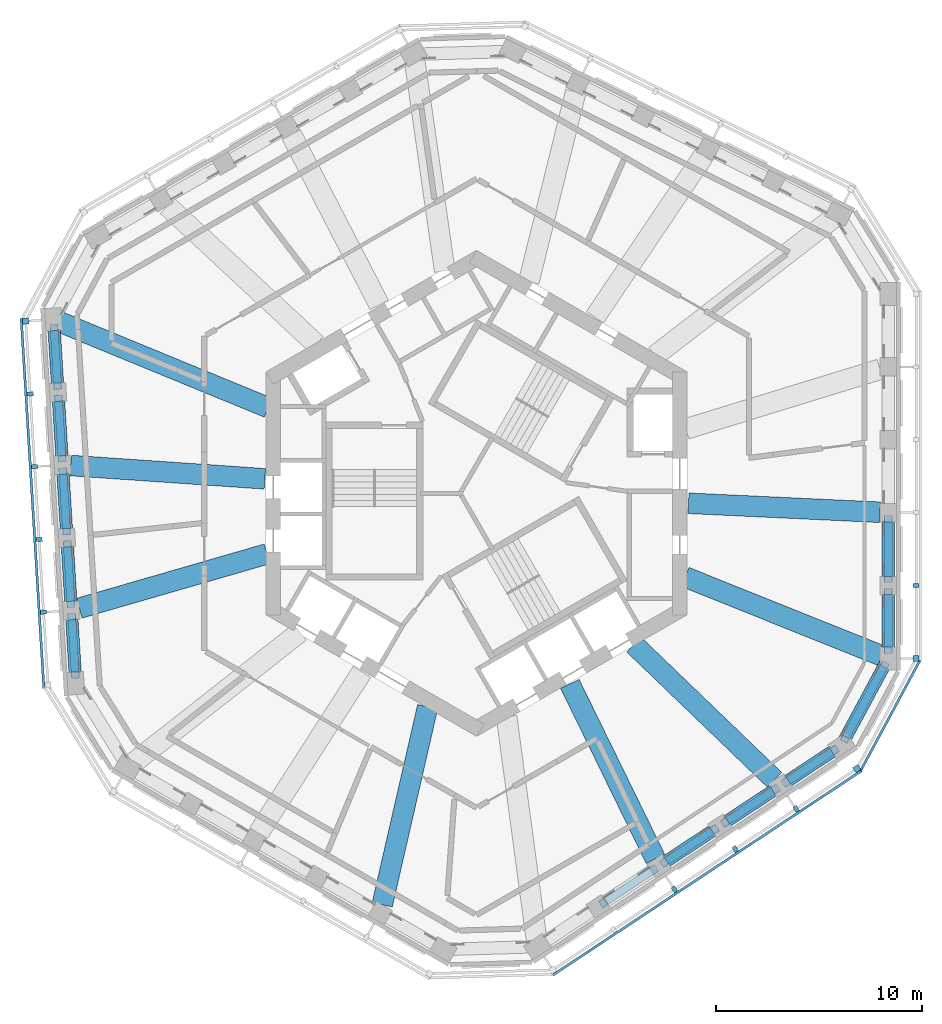
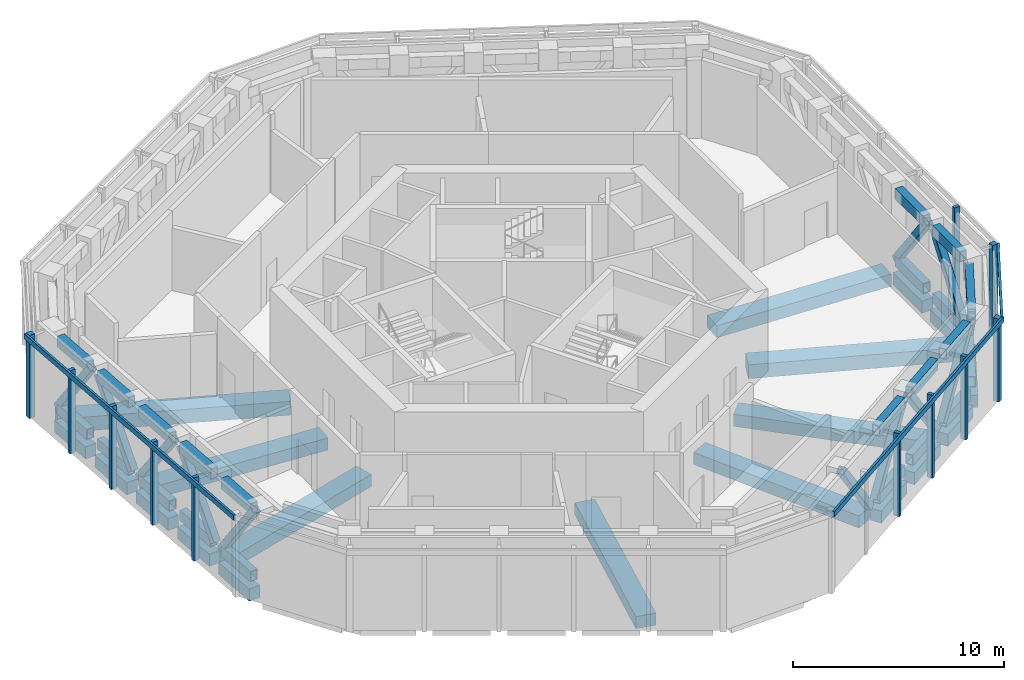
# One storey, part 2 of 14: 48 members, 19 beams, 4 elements without a shape of their own.
"""IFC4 building model written with IfcOpenShell, lengths in metres."""

from ifc_helpers import new_model, si_unit, direction, frame, origin, origin_2d, place, context, subcontext, project, spatial, rectangle, hollow_rectangle, extrude, material, material_profile, profile_set, type_object, element, aggregate, save


model = new_model("IFC4")

# Units and contexts
model_context = context("Model", 3, precision=1e-05, world=origin(), true_north=direction((0.0, 1.0)))
body_context = subcontext(model_context, "Body", "Model", "MODEL_VIEW")
ifc_project = project(units=[si_unit("LENGTHUNIT", "METRE"), si_unit("AREAUNIT", "SQUARE_METRE"), si_unit("VOLUMEUNIT", "CUBIC_METRE"), si_unit("PLANEANGLEUNIT", "RADIAN"), si_unit("MASSUNIT", "GRAM", prefix="KILO")], contexts=[model_context])

# Site, building, storey
site_placement = place(None, origin())
site = spatial("IfcSite", under=ifc_project, at=site_placement, CompositionType="ELEMENT")
building_placement = place(site_placement, origin())
building = spatial("IfcBuilding", under=site, at=building_placement, Name="Vanh Sen Convention Tower", CompositionType="ELEMENT")
storey_placement = place(building_placement, frame((0.0, 0.0, 255.0)))
storey = spatial("IfcBuildingStorey", under=building, at=storey_placement, Name="L63", CompositionType="ELEMENT", Elevation=255.0)

# Members
ifc_material_1 = material(Name="Steel S460", Category="steel")
ifc_material_profile_1 = material_profile(ifc_material_1, hollow_rectangle(XDim=0.39990234375, YDim=0.60009765625, WallThickness=0.030029296875, at=origin_2d()), Name="BOX 600X400X30")
ifc_profile_set_1 = profile_set([ifc_material_profile_1], Name="Steel S460")
member_type_1 = type_object("IfcMemberType", Name="Belt truss chord BOX 600X400X30", PredefinedType="CHORD", material=ifc_profile_set_1)
for number, where, z_axis, x_axis, name in (
    (1, (19.949951171875, -7.457763671875, 0.300048828125), (0.0, 1.0, 0.0), (-1.0, 0.0, 0.0), "BELT TRUSS chord bottom 01 L63"),
    (2, (19.949951171875, -7.457763671875, 4.199951171875), (0.0, 1.0, 0.0), (-1.0, 0.0, 0.0), "BELT TRUSS chord top 01 L63"),
):
    element("IfcMember", number, at=place(storey_placement, frame(where, z_axis=z_axis, x_axis=x_axis)), inside=storey, type_object=member_type_1, Name=name, PredefinedType="CHORD", context=body_context, shape_type="SweptSolid", body=[
        extrude(hollow_rectangle(XDim=0.39990234375, YDim=0.60009765625, WallThickness=0.030029296875, at=origin_2d()), origin(), (0.0, 0.0, 1.0), 2.54345703125),
    ])
for number, where, z_axis, x_axis, name in (
    (3, (19.949951171875, -4.024169921875, 0.300048828125), (0.0, 1.0, 0.0), (-1.0, 0.0, 0.0), "BELT TRUSS chord bottom 02 L63"),
    (4, (19.949951171875, -4.024169921875, 4.199951171875), (0.0, 1.0, 0.0), (-1.0, 0.0, 0.0), "BELT TRUSS chord top 02 L63"),
):
    element("IfcMember", number, at=place(storey_placement, frame(where, z_axis=z_axis, x_axis=x_axis)), inside=storey, type_object=member_type_1, Name=name, PredefinedType="CHORD", context=body_context, shape_type="SweptSolid", body=[
        extrude(hollow_rectangle(XDim=0.39990234375, YDim=0.60009765625, WallThickness=0.030029296875, at=origin_2d()), origin(), (0.0, 0.0, 1.0), 2.6435546875),
    ])
for number, where, z_axis, x_axis, name in (
    (5, (-20.469482421875, 7.885498046875, 0.300048828125), (0.061039814536, -0.998135332027, 0.0), (0.998135332027, 0.061039814536, 0.0), "BELT TRUSS chord bottom 19 L63"),
    (6, (-20.469482421875, 7.885498046875, 4.199951171875), (0.061039814536, -0.998135332027, 0.0), (0.998135332027, 0.061039814536, 0.0), "BELT TRUSS chord top 19 L63"),
):
    element("IfcMember", number, at=place(storey_placement, frame(where, z_axis=z_axis, x_axis=x_axis)), inside=storey, type_object=member_type_1, Name=name, PredefinedType="CHORD", context=body_context, shape_type="SweptSolid", body=[
        extrude(hollow_rectangle(XDim=0.39990234375, YDim=0.60009765625, WallThickness=0.030029296875, at=origin_2d()), origin(), (0.0, 0.0, 1.0), 2.543701171875),
    ])
for number, where, z_axis, x_axis, name in (
    (7, (-20.260009765625, 4.458251953125, 0.300048828125), (0.061038717625, -0.998135399107, 0.0), (0.998135399107, 0.061038717625, 0.0), "BELT TRUSS chord bottom 20 L63"),
    (8, (-20.260009765625, 4.458251953125, 4.199951171875), (0.061038717625, -0.998135399107, 0.0), (0.998135399107, 0.061038717625, 0.0), "BELT TRUSS chord top 20 L63"),
):
    element("IfcMember", number, at=place(storey_placement, frame(where, z_axis=z_axis, x_axis=x_axis)), inside=storey, type_object=member_type_1, Name=name, PredefinedType="CHORD", context=body_context, shape_type="SweptSolid", body=[
        extrude(hollow_rectangle(XDim=0.39990234375, YDim=0.60009765625, WallThickness=0.030029296875, at=origin_2d()), origin(), (0.0, 0.0, 1.0), 2.643798828125),
    ])
for number, where, z_axis, x_axis, name in (
    (9, (-20.044189453125, 0.93115234375, 0.300048828125), (0.061044344131, -0.998135055015, 0.0), (0.998135055015, 0.061044344131, 0.0), "BELT TRUSS chord bottom 21 L63"),
    (10, (-20.044189453125, 0.93115234375, 4.199951171875), (0.061044344131, -0.998135055015, 0.0), (0.998135055015, 0.061044344131, 0.0), "BELT TRUSS chord top 21 L63"),
):
    element("IfcMember", number, at=place(storey_placement, frame(where, z_axis=z_axis, x_axis=x_axis)), inside=storey, type_object=member_type_1, Name=name, PredefinedType="CHORD", context=body_context, shape_type="SweptSolid", body=[
        extrude(hollow_rectangle(XDim=0.39990234375, YDim=0.60009765625, WallThickness=0.030029296875, at=origin_2d()), origin(), (0.0, 0.0, 1.0), 2.6435546875),
    ])
for number, where, z_axis, x_axis, name in (
    (11, (-19.82861328125, -2.595703125, 0.300048828125), (0.061038717625, -0.998135399107, 0.0), (0.998135399107, 0.061038717625, 0.0), "BELT TRUSS chord bottom 22 L63"),
    (12, (-19.82861328125, -2.595703125, 4.199951171875), (0.061038717625, -0.998135399107, 0.0), (0.998135399107, 0.061038717625, 0.0), "BELT TRUSS chord top 22 L63"),
):
    element("IfcMember", number, at=place(storey_placement, frame(where, z_axis=z_axis, x_axis=x_axis)), inside=storey, type_object=member_type_1, Name=name, PredefinedType="CHORD", context=body_context, shape_type="SweptSolid", body=[
        extrude(hollow_rectangle(XDim=0.39990234375, YDim=0.60009765625, WallThickness=0.030029296875, at=origin_2d()), origin(), (0.0, 0.0, 1.0), 2.643798828125),
    ])
for number, where, z_axis, x_axis, name in (
    (13, (-19.61279296875, -6.122802734375, 0.300048828125), (0.061039814536, -0.998135332027, 0.0), (0.998135332027, 0.061039814536, 0.0), "BELT TRUSS chord bottom 23 L63"),
    (14, (-19.61279296875, -6.122802734375, 4.199951171875), (0.061039814536, -0.998135332027, 0.0), (0.998135332027, 0.061039814536, 0.0), "BELT TRUSS chord top 23 L63"),
):
    element("IfcMember", number, at=place(storey_placement, frame(where, z_axis=z_axis, x_axis=x_axis)), inside=storey, type_object=member_type_1, Name=name, PredefinedType="CHORD", context=body_context, shape_type="SweptSolid", body=[
        extrude(hollow_rectangle(XDim=0.39990234375, YDim=0.60009765625, WallThickness=0.030029296875, at=origin_2d()), origin(), (0.0, 0.0, 1.0), 2.543701171875),
    ])
for number, where, z_axis, x_axis, name in (
    (15, (9.2158203125, -17.824462890625, 0.300048828125), (0.833850316908, 0.551990624007, 0.0), (-0.551990624007, 0.833850316908, 0.0), "BELT TRUSS chord bottom 33 L63"),
    (16, (9.2158203125, -17.824462890625, 4.199951171875), (0.833850316908, 0.551990624007, 0.0), (-0.551990624007, 0.833850316908, 0.0), "BELT TRUSS chord top 33 L63"),
    (17, (12.162353515625, -15.8740234375, 0.300048828125), (0.833850316908, 0.551990624007, 0.0), (-0.551990624007, 0.833850316908, 0.0), "BELT TRUSS chord bottom 34 L63"),
    (18, (12.162353515625, -15.8740234375, 4.199951171875), (0.833850316908, 0.551990624007, 0.0), (-0.551990624007, 0.833850316908, 0.0), "BELT TRUSS chord top 34 L63"),
):
    element("IfcMember", number, at=place(storey_placement, frame(where, z_axis=z_axis, x_axis=x_axis)), inside=storey, type_object=member_type_1, Name=name, PredefinedType="CHORD", context=body_context, shape_type="SweptSolid", body=[
        extrude(hollow_rectangle(XDim=0.39990234375, YDim=0.60009765625, WallThickness=0.030029296875, at=origin_2d()), origin(), (0.0, 0.0, 1.0), 2.6435546875),
    ])
for number, where, z_axis, x_axis, name in (
    (19, (15.10888671875, -13.923583984375, 0.300048828125), (0.833906220349, 0.551906165632, 0.0), (-0.551906165632, 0.833906220349, 0.0), "BELT TRUSS chord bottom 35 L63"),
    (20, (15.10888671875, -13.923583984375, 4.199951171875), (0.833906220349, 0.551906165632, 0.0), (-0.551906165632, 0.833906220349, 0.0), "BELT TRUSS chord top 35 L63"),
):
    element("IfcMember", number, at=place(storey_placement, frame(where, z_axis=z_axis, x_axis=x_axis)), inside=storey, type_object=member_type_1, Name=name, PredefinedType="CHORD", context=body_context, shape_type="SweptSolid", body=[
        extrude(hollow_rectangle(XDim=0.39990234375, YDim=0.60009765625, WallThickness=0.030029296875, at=origin_2d()), origin(), (0.0, 0.0, 1.0), 2.54345703125),
    ])
for number, where, z_axis, x_axis, name in (
    (21, (17.906005859375, -11.806884765625, 0.300048828125), (0.473320740934, 0.880890161258, 0.0), (-0.880890161258, 0.473320740934, 0.0), "BELT TRUSS chord bottom 36 L63"),
    (22, (17.906005859375, -11.806884765625, 4.199951171875), (0.473320740934, 0.880890161258, 0.0), (-0.880890161258, 0.473320740934, 0.0), "BELT TRUSS chord top 36 L63"),
):
    element("IfcMember", number, at=place(storey_placement, frame(where, z_axis=z_axis, x_axis=x_axis)), inside=storey, type_object=member_type_1, Name=name, PredefinedType="CHORD", context=body_context, shape_type="SweptSolid", body=[
        extrude(hollow_rectangle(XDim=0.39990234375, YDim=0.60009765625, WallThickness=0.030029296875, at=origin_2d()), origin(), (0.0, 0.0, 1.0), 3.8505859375),
    ])
ifc_material_2 = material(Name="Steel S355", Category="steel")
ifc_material_profile_2 = material_profile(ifc_material_2, hollow_rectangle(XDim=0.39990234375, YDim=0.39990234375, WallThickness=0.01611328125, InnerFilletRadius=0.01611328125, OuterFilletRadius=0.031982421875, at=origin_2d()), Name="SHS 400X400X16")
ifc_profile_set_2 = profile_set([ifc_material_profile_2], Name="Steel S355")
member_type_2 = type_object("IfcMemberType", Name="Belt truss diagonal SHS 400X400X16", PredefinedType="BRACE", material=ifc_profile_set_2)
member_1_placement = place(storey_placement, frame((19.949951171875, -7.60595703125, 0.300048828125), z_axis=(0.0, 0.588653037628, 0.808385799783), x_axis=(-1.0, 0.0, 0.0)))
element("IfcMember", 23, at=member_1_placement, inside=storey, type_object=member_type_2, Name="BELT TRUSS diagonal 01 L63", PredefinedType="BRACE", context=body_context, shape_type="SweptSolid", body=[
    extrude(hollow_rectangle(XDim=0.39990234375, YDim=0.39990234375, WallThickness=0.01611328125, InnerFilletRadius=0.01611328125, OuterFilletRadius=0.031982421875, at=origin_2d()), origin(), (0.0, 0.0, 1.0), 4.82421875),
])
member_2_placement = place(storey_placement, frame((19.949951171875, -4.17236328125, 4.199951171875), z_axis=(0.0, 0.601965746511, -0.798521909547), x_axis=(-1.0, 0.0, 0.0)))
element("IfcMember", 24, at=member_2_placement, inside=storey, type_object=member_type_2, Name="BELT TRUSS diagonal 02 L63", PredefinedType="BRACE", context=body_context, shape_type="SweptSolid", body=[
    extrude(hollow_rectangle(XDim=0.39990234375, YDim=0.39990234375, WallThickness=0.01611328125, InnerFilletRadius=0.01611328125, OuterFilletRadius=0.031982421875, at=origin_2d()), origin(), (0.0, 0.0, 1.0), 4.8837890625),
])
member_3_placement = place(storey_placement, frame((-20.478515625, 8.033203125, 0.300048828125), z_axis=(0.035929770955, -0.58757826839, 0.808369241173), x_axis=(0.998135632163, 0.061034906454, 0.0)))
element("IfcMember", 25, at=member_3_placement, inside=storey, type_object=member_type_2, Name="BELT TRUSS diagonal 19 L63", PredefinedType="BRACE", context=body_context, shape_type="SweptSolid", body=[
    extrude(hollow_rectangle(XDim=0.39990234375, YDim=0.39990234375, WallThickness=0.01611328125, InnerFilletRadius=0.01611328125, OuterFilletRadius=0.031982421875, at=origin_2d()), origin(), (0.0, 0.0, 1.0), 4.824462890625),
])
for number, where, z_axis, x_axis, name in (
    (26, (-20.26904296875, 4.606201171875, 4.199951171875), (0.03674020352, -0.600889777577, -0.798487089844), (0.998135991565, 0.061029028683, 0.0), "BELT TRUSS diagonal 20 L63"),
    (27, (-20.05322265625, 1.0791015625, 0.300048828125), (0.036741307071, -0.600857838081, 0.798511073669), (0.998135682268, 0.06103408706, 0.0), "BELT TRUSS diagonal 21 L63"),
    (28, (-19.837646484375, -2.447998046875, 4.199951171875), (0.036741307071, -0.600857838081, -0.798511073669), (0.998135682268, 0.06103408706, 0.0), "BELT TRUSS diagonal 22 L63"),
):
    element("IfcMember", number, at=place(storey_placement, frame(where, z_axis=z_axis, x_axis=x_axis)), inside=storey, type_object=member_type_2, Name=name, PredefinedType="BRACE", context=body_context, shape_type="SweptSolid", body=[
        extrude(hollow_rectangle(XDim=0.39990234375, YDim=0.39990234375, WallThickness=0.01611328125, InnerFilletRadius=0.01611328125, OuterFilletRadius=0.031982421875, at=origin_2d()), origin(), (0.0, 0.0, 1.0), 4.884033203125),
    ])
member_4_placement = place(storey_placement, frame((-19.621826171875, -5.974853515625, 0.300048828125), z_axis=(0.0359287026, -0.58761140083, 0.808345204689), x_axis=(0.998135952363, 0.06102966984, 0.0)))
element("IfcMember", 29, at=member_4_placement, inside=storey, type_object=member_type_2, Name="BELT TRUSS diagonal 23 L63", PredefinedType="BRACE", context=body_context, shape_type="SweptSolid", body=[
    extrude(hollow_rectangle(XDim=0.39990234375, YDim=0.39990234375, WallThickness=0.01611328125, InnerFilletRadius=0.01611328125, OuterFilletRadius=0.031982421875, at=origin_2d()), origin(), (0.0, 0.0, 1.0), 4.824462890625),
])
for number, where, z_axis, x_axis, name in (
    (30, (6.1455078125, -19.856689453125, 4.199951171875), (0.501978881461, 0.332269829224, -0.79850733444), (-0.551956917413, 0.833872628955, 0.0), "BELT TRUSS diagonal 32 L63"),
    (31, (9.092041015625, -17.90625, 0.300048828125), (0.501978881461, 0.332269829224, 0.79850733444), (-0.551956917413, 0.833872628955, 0.0), "BELT TRUSS diagonal 33 L63"),
    (32, (12.038818359375, -15.955810546875, 4.199951171875), (0.501978881461, 0.332269829224, -0.79850733444), (-0.551956917413, 0.833872628955, 0.0), "BELT TRUSS diagonal 34 L63"),
):
    element("IfcMember", number, at=place(storey_placement, frame(where, z_axis=z_axis, x_axis=x_axis)), inside=storey, type_object=member_type_2, Name=name, PredefinedType="BRACE", context=body_context, shape_type="SweptSolid", body=[
        extrude(hollow_rectangle(XDim=0.39990234375, YDim=0.39990234375, WallThickness=0.01611328125, InnerFilletRadius=0.01611328125, OuterFilletRadius=0.031982421875, at=origin_2d()), origin(), (0.0, 0.0, 1.0), 4.884033203125),
    ])
member_5_placement = place(storey_placement, frame((14.9853515625, -14.005615234375, 0.300048828125), z_axis=(0.490910042104, 0.324928706355, 0.808349346724), x_axis=(-0.551939864606, 0.833883916297, 0.0)))
element("IfcMember", 33, at=member_5_placement, inside=storey, type_object=member_type_2, Name="BELT TRUSS diagonal 35 L63", PredefinedType="BRACE", context=body_context, shape_type="SweptSolid", body=[
    extrude(hollow_rectangle(XDim=0.39990234375, YDim=0.39990234375, WallThickness=0.01611328125, InnerFilletRadius=0.01611328125, OuterFilletRadius=0.031982421875, at=origin_2d()), origin(), (0.0, 0.0, 1.0), 4.824462890625),
])
member_6_placement = place(storey_placement, frame((17.84619140625, -11.918212890625, 4.199951171875), z_axis=(0.343079613643, 0.63850329101, -0.688919390111), x_axis=(-0.880891071936, 0.473319046082, 0.0)))
element("IfcMember", 34, at=member_6_placement, inside=storey, type_object=member_type_2, Name="BELT TRUSS diagonal 36 L63", PredefinedType="BRACE", context=body_context, shape_type="SweptSolid", body=[
    extrude(hollow_rectangle(XDim=0.39990234375, YDim=0.39990234375, WallThickness=0.01611328125, InnerFilletRadius=0.01611328125, OuterFilletRadius=0.031982421875, at=origin_2d()), origin(), (0.0, 0.0, 1.0), 5.660888671875),
])

# Curtain wall, member
ifc_material_3 = material(Name="Concrete C50/60", Category="concrete")
curtain_wall_type = type_object("IfcCurtainWallType", Name="Outer skin office zone", PredefinedType="NOTDEFINED", material=ifc_material_3)
curtain_wall_1_placement = place(storey_placement, origin())
curtain_wall_1 = element("IfcCurtainWall", 35, at=curtain_wall_1_placement, inside=storey, type_object=curtain_wall_type, Name="OUTER SKIN E L63", PredefinedType="NOTDEFINED")
ifc_material_profile_3 = material_profile(ifc_material_3, rectangle(XDim=0.300048828125, YDim=0.300048828125, at=origin_2d()), Name="Outer skin precast corner fin 300 x 300")
ifc_profile_set_3 = profile_set([ifc_material_profile_3], Name="Concrete C50/60")
member_type_3 = type_object("IfcMemberType", Name="Outer skin precast corner fin 300 x 300", PredefinedType="MULLION", material=ifc_profile_set_3)
member_7_placement = place(storey_placement, frame((21.300048828125, -8.002685546875, 0.0), z_axis=(0.0, 0.0, 1.0), x_axis=(0.0, 1.0, 0.0)))
member_7 = element("IfcMember", 36, at=member_7_placement, type_object=member_type_3, Name="OUTER SKIN CORNER FIN 1 E L63", PredefinedType="MULLION", context=body_context, shape_type="SweptSolid", body=[
    extrude(rectangle(XDim=0.300048828125, YDim=0.300048828125, at=origin_2d()), origin(), (0.0, 0.0, 1.0), 4.800048828125),
])

curtain_wall_2_placement = place(storey_placement, origin())
curtain_wall_2 = element("IfcCurtainWall", 37, at=curtain_wall_2_placement, inside=storey, type_object=curtain_wall_type, Name="OUTER SKIN W L63", PredefinedType="NOTDEFINED")
member_8_placement = place(storey_placement, frame((-21.850341796875, 8.346923828125, 0.0), z_axis=(0.0, 0.0, 1.0), x_axis=(0.061048539535, -0.998134798422, 0.0)))
member_8 = element("IfcMember", 38, at=member_8_placement, type_object=member_type_3, Name="OUTER SKIN CORNER FIN 1 W L63", PredefinedType="MULLION", context=body_context, shape_type="SweptSolid", body=[
    extrude(rectangle(XDim=0.300048828125, YDim=0.300048828125, at=origin_2d()), origin(), (0.0, 0.0, 1.0), 4.800048828125),
])

curtain_wall_3_placement = place(storey_placement, origin())
curtain_wall_3 = element("IfcCurtainWall", 39, at=curtain_wall_3_placement, inside=storey, type_object=curtain_wall_type, Name="OUTER SKIN SE L63", PredefinedType="NOTDEFINED")
member_9_placement = place(storey_placement, frame((18.4296875, -13.3447265625, 0.0), z_axis=(0.0, 0.0, 1.0), x_axis=(0.833885822067, 0.551936985312, 0.0)))
member_9 = element("IfcMember", 40, at=member_9_placement, type_object=member_type_3, Name="OUTER SKIN CORNER FIN 6 SE L63", PredefinedType="MULLION", context=body_context, shape_type="SweptSolid", body=[
    extrude(rectangle(XDim=0.300048828125, YDim=0.300048828125, at=origin_2d()), origin(), (0.0, 0.0, 1.0), 4.800048828125),
])

# Member
ifc_material_profile_4 = material_profile(ifc_material_3, rectangle(XDim=0.199951171875, YDim=0.300048828125, at=origin_2d()), Name="Outer skin precast fin 200 x 300")
ifc_profile_set_4 = profile_set([ifc_material_profile_4], Name="Concrete C50/60")
member_type_4 = type_object("IfcMemberType", Name="Outer skin precast fin 200 x 300", PredefinedType="MULLION", material=ifc_profile_set_4)
member_10_placement = place(storey_placement, frame((21.300048828125, -4.46923828125, 0.0), z_axis=(0.0, 0.0, 1.0), x_axis=(0.0, 1.0, 0.0)))
member_10 = element("IfcMember", 41, at=member_10_placement, type_object=member_type_4, Name="OUTER SKIN fin 2 E L63", PredefinedType="MULLION", context=body_context, shape_type="SweptSolid", body=[
    extrude(rectangle(XDim=0.199951171875, YDim=0.300048828125, at=origin_2d()), origin(), (0.0, 0.0, 1.0), 4.800048828125),
])

aggregate(curtain_wall_1, [member_7, member_10])

member_11_placement = place(storey_placement, frame((-21.634521484375, 4.820068359375, 0.0), z_axis=(0.0, 0.0, 1.0), x_axis=(0.061048539535, -0.998134798422, 0.0)))
member_11 = element("IfcMember", 42, at=member_11_placement, type_object=member_type_4, Name="OUTER SKIN fin 2 W L63", PredefinedType="MULLION", context=body_context, shape_type="SweptSolid", body=[
    extrude(rectangle(XDim=0.199951171875, YDim=0.300048828125, at=origin_2d()), origin(), (0.0, 0.0, 1.0), 4.800048828125),
])

member_12_placement = place(storey_placement, frame((-21.4189453125, 1.29296875, 0.0), z_axis=(0.0, 0.0, 1.0), x_axis=(0.061048539535, -0.998134798422, 0.0)))
member_12 = element("IfcMember", 43, at=member_12_placement, type_object=member_type_4, Name="OUTER SKIN fin 3 W L63", PredefinedType="MULLION", context=body_context, shape_type="SweptSolid", body=[
    extrude(rectangle(XDim=0.199951171875, YDim=0.300048828125, at=origin_2d()), origin(), (0.0, 0.0, 1.0), 4.800048828125),
])

member_13_placement = place(storey_placement, frame((-21.203125, -2.234130859375, 0.0), z_axis=(0.0, 0.0, 1.0), x_axis=(0.061048539535, -0.998134798422, 0.0)))
member_13 = element("IfcMember", 44, at=member_13_placement, type_object=member_type_4, Name="OUTER SKIN fin 4 W L63", PredefinedType="MULLION", context=body_context, shape_type="SweptSolid", body=[
    extrude(rectangle(XDim=0.199951171875, YDim=0.300048828125, at=origin_2d()), origin(), (0.0, 0.0, 1.0), 4.800048828125),
])

member_14_placement = place(storey_placement, frame((-20.987548828125, -5.760986328125, 0.0), z_axis=(0.0, 0.0, 1.0), x_axis=(0.061048539535, -0.998134798422, 0.0)))
member_14 = element("IfcMember", 45, at=member_14_placement, type_object=member_type_4, Name="OUTER SKIN fin 5 W L63", PredefinedType="MULLION", context=body_context, shape_type="SweptSolid", body=[
    extrude(rectangle(XDim=0.199951171875, YDim=0.300048828125, at=origin_2d()), origin(), (0.0, 0.0, 1.0), 4.800048828125),
])

member_15_placement = place(storey_placement, frame((9.589599609375, -19.19580078125, 0.0), z_axis=(0.0, 0.0, 1.0), x_axis=(0.833885822067, 0.551936985312, 0.0)))
member_15 = element("IfcMember", 46, at=member_15_placement, type_object=member_type_4, Name="OUTER SKIN fin 3 SE L63", PredefinedType="MULLION", context=body_context, shape_type="SweptSolid", body=[
    extrude(rectangle(XDim=0.199951171875, YDim=0.300048828125, at=origin_2d()), origin(), (0.0, 0.0, 1.0), 4.800048828125),
])

member_16_placement = place(storey_placement, frame((12.536376953125, -17.245361328125, 0.0), z_axis=(0.0, 0.0, 1.0), x_axis=(0.833885822067, 0.551936985312, 0.0)))
member_16 = element("IfcMember", 47, at=member_16_placement, type_object=member_type_4, Name="OUTER SKIN fin 4 SE L63", PredefinedType="MULLION", context=body_context, shape_type="SweptSolid", body=[
    extrude(rectangle(XDim=0.199951171875, YDim=0.300048828125, at=origin_2d()), origin(), (0.0, 0.0, 1.0), 4.800048828125),
])

member_17_placement = place(storey_placement, frame((15.48291015625, -15.294921875, 0.0), z_axis=(0.0, 0.0, 1.0), x_axis=(0.833885822067, 0.551936985312, 0.0)))
member_17 = element("IfcMember", 48, at=member_17_placement, type_object=member_type_4, Name="OUTER SKIN fin 5 SE L63", PredefinedType="MULLION", context=body_context, shape_type="SweptSolid", body=[
    extrude(rectangle(XDim=0.199951171875, YDim=0.300048828125, at=origin_2d()), origin(), (0.0, 0.0, 1.0), 4.800048828125),
])

ifc_material_profile_5 = material_profile(ifc_material_3, rectangle(XDim=0.1201171875, YDim=0.300048828125, at=origin_2d()), Name="Outer skin precast spandrel band 300 x 120")
ifc_profile_set_5 = profile_set([ifc_material_profile_5], Name="Concrete C50/60")
member_type_5 = type_object("IfcMemberType", Name="Outer skin precast spandrel band 300 x 120", PredefinedType="USERDEFINED", material=ifc_profile_set_5)
member_18_placement = place(storey_placement, frame((-22.069091796875, 8.48388671875, 4.64990234375), z_axis=(0.061048457282, -0.998134803453, 0.0), x_axis=(0.998134803453, 0.061048457282, 0.0)))
member_18 = element("IfcMember", 49, at=member_18_placement, type_object=member_type_5, Name="OUTER SKIN spandrel band W L63", ObjectType="TRANSOM", PredefinedType="USERDEFINED", context=body_context, shape_type="SweptSolid", body=[
    extrude(rectangle(XDim=0.1201171875, YDim=0.300048828125, at=origin_2d()), origin(), (0.0, 0.0, 1.0), 17.968017578125),
])

aggregate(curtain_wall_2, [member_8, member_11, member_12, member_13, member_14, member_18])

member_19_placement = place(storey_placement, frame((3.687255859375, -23.3544921875, 4.64990234375), z_axis=(0.83388107344, 0.551944159638, 0.0), x_axis=(-0.551944159638, 0.83388107344, 0.0)))
member_19 = element("IfcMember", 50, at=member_19_placement, type_object=member_type_5, Name="OUTER SKIN spandrel band SE L63", ObjectType="TRANSOM", PredefinedType="USERDEFINED", context=body_context, shape_type="SweptSolid", body=[
    extrude(rectangle(XDim=0.1201171875, YDim=0.300048828125, at=origin_2d()), origin(), (0.0, 0.0, 1.0), 17.96826171875),
])

aggregate(curtain_wall_3, [member_15, member_16, member_17, member_9, member_19])

# Curtain wall, member
curtain_wall_4_placement = place(storey_placement, origin())
curtain_wall_4 = element("IfcCurtainWall", 51, at=curtain_wall_4_placement, inside=storey, type_object=curtain_wall_type, Name="OUTER SKIN CH6 L63", PredefinedType="NOTDEFINED")
member_20_placement = place(storey_placement, frame((18.61474609375, -13.444091796875, 4.64990234375), z_axis=(0.473333785199, 0.880883152177, 0.0), x_axis=(-0.880883152177, 0.473333785199, 0.0)))
member_20 = element("IfcMember", 52, at=member_20_placement, type_object=member_type_5, Name="OUTER SKIN spandrel band CH6 L63", ObjectType="TRANSOM", PredefinedType="USERDEFINED", context=body_context, shape_type="SweptSolid", body=[
    extrude(rectangle(XDim=0.1201171875, YDim=0.300048828125, at=origin_2d()), origin(), (0.0, 0.0, 1.0), 6.064208984375),
])
aggregate(curtain_wall_4, [member_20])

# Beams
ifc_material_4 = material(Name="Concrete C50/60", Category="concrete")
ifc_material_profile_6 = material_profile(ifc_material_4, rectangle(XDim=1.0, YDim=0.699951171875, at=origin_2d()), Name="RC 1000X700")
ifc_profile_set_6 = profile_set([ifc_material_profile_6], Name="Concrete C50/60")
beam_type_1 = type_object("IfcBeamType", Name="Radial floor beam 1000 x 700", PredefinedType="BEAM", material=ifc_profile_set_6)
beam_1_placement = place(storey_placement, frame((19.554931640625, -0.9169921875, -0.699951171875), z_axis=(-0.998902463919, 0.046838740123, 0.0), x_axis=(-0.046838740123, -0.998902463919, 0.0)))
element("IfcBeam", 53, at=beam_1_placement, inside=storey, type_object=beam_type_1, Name="Radial beam 02 L63", PredefinedType="BEAM", context=body_context, shape_type="SweptSolid", body=[
    extrude(rectangle(XDim=1.0, YDim=0.699951171875, at=origin_2d()), origin(), (0.0, 0.0, 1.0), 9.293701171875),
])
beam_2_placement = place(storey_placement, frame((-19.674072265625, 1.34814453125, -0.699951171875), z_axis=(0.997660607469, -0.068361628885, 0.0), x_axis=(0.068361628885, 0.997660607469, 0.0)))
element("IfcBeam", 54, at=beam_2_placement, inside=storey, type_object=beam_type_1, Name="Radial beam 11 L63", PredefinedType="BEAM", context=body_context, shape_type="SweptSolid", body=[
    extrude(rectangle(XDim=1.0, YDim=0.699951171875, at=origin_2d()), origin(), (0.0, 0.0, 1.0), 9.435302734375),
])
beam_3_placement = place(storey_placement, frame((-19.2509765625, -5.566162109375, -0.699951171875), z_axis=(0.960650134223, 0.27776126371, 0.0), x_axis=(-0.27776126371, 0.960650134223, 0.0)))
element("IfcBeam", 55, at=beam_3_placement, inside=storey, type_object=beam_type_1, Name="Radial beam 12 L63", PredefinedType="BEAM", context=body_context, shape_type="SweptSolid", body=[
    extrude(rectangle(XDim=1.0, YDim=0.699951171875, at=origin_2d()), origin(), (0.0, 0.0, 1.0), 9.46728515625),
])
beam_4_placement = place(storey_placement, frame((-4.572509765625, -19.940185546875, -0.699951171875), z_axis=(0.223529365959, 0.974697195315, 0.0), x_axis=(-0.974697195315, 0.223529365959, 0.0)))
element("IfcBeam", 56, at=beam_4_placement, inside=storey, type_object=beam_type_1, Name="Radial beam 15 L63", PredefinedType="BEAM", context=body_context, shape_type="SweptSolid", body=[
    extrude(rectangle(XDim=1.0, YDim=0.699951171875, at=origin_2d()), origin(), (0.0, 0.0, 1.0), 9.8408203125),
])
beam_5_placement = place(storey_placement, frame((8.66943359375, -17.712158203125, -0.699951171875), z_axis=(-0.439631482306, 0.898178244986, 0.0), x_axis=(-0.898178244986, -0.439631482306, 0.0)))
element("IfcBeam", 57, at=beam_5_placement, inside=storey, type_object=beam_type_1, Name="Radial beam 17 L63", PredefinedType="BEAM", context=body_context, shape_type="SweptSolid", body=[
    extrude(rectangle(XDim=1.0, YDim=0.699951171875, at=origin_2d()), origin(), (0.0, 0.0, 1.0), 9.43505859375),
])
beam_6_placement = place(storey_placement, frame((14.446044921875, -13.888671875, -0.699951171875), z_axis=(-0.720882617583, 0.693057177776, 0.0), x_axis=(-0.693057177776, -0.720882617583, 0.0)))
element("IfcBeam", 58, at=beam_6_placement, inside=storey, type_object=beam_type_1, Name="Radial beam 18 L63", PredefinedType="BEAM", context=body_context, shape_type="SweptSolid", body=[
    extrude(rectangle(XDim=1.0, YDim=0.699951171875, at=origin_2d()), origin(), (0.0, 0.0, 1.0), 9.467041015625),
])
ifc_material_profile_7 = material_profile(ifc_material_4, rectangle(XDim=1.0, YDim=0.800048828125, at=origin_2d()), Name="RC 1000X800")
ifc_profile_set_7 = profile_set([ifc_material_profile_7], Name="Concrete C50/60")
beam_type_2 = type_object("IfcBeamType", Name="Radial floor beam 1000 x 800", PredefinedType="BEAM", material=ifc_profile_set_7)
beam_7_placement = place(storey_placement, frame((19.864990234375, -7.96875, -0.75), z_axis=(-0.928107822897, 0.372311521548, 0.0), x_axis=(-0.372311521548, -0.928107822897, 0.0)))
element("IfcBeam", 59, at=beam_7_placement, inside=storey, type_object=beam_type_2, Name="Radial beam 01 L63", PredefinedType="BEAM", context=body_context, shape_type="SweptSolid", body=[
    extrude(rectangle(XDim=1.0, YDim=0.800048828125, at=origin_2d()), origin(), (0.0, 0.0, 1.0), 10.511474609375),
])
beam_8_placement = place(storey_placement, frame((-20.4013671875, 8.3876953125, -0.75), z_axis=(0.924881441373, -0.380255597467, 0.0), x_axis=(0.380255597467, 0.924881441373, 0.0)))
element("IfcBeam", 60, at=beam_8_placement, inside=storey, type_object=beam_type_2, Name="Radial beam 10 L63", PredefinedType="BEAM", context=body_context, shape_type="SweptSolid", body=[
    extrude(rectangle(XDim=1.0, YDim=0.800048828125, at=origin_2d()), origin(), (0.0, 0.0, 1.0), 11.13232421875),
])
ifc_material_profile_8 = material_profile(ifc_material_4, rectangle(XDim=0.60009765625, YDim=0.699951171875, at=origin_2d()), Name="RC 600X700")
ifc_profile_set_8 = profile_set([ifc_material_profile_8], Name="Concrete C50/60")
beam_type_3 = type_object("IfcBeamType", Name="Spandrel beam 600 x 700", PredefinedType="SPANDREL", material=ifc_profile_set_8)
beam_9_placement = place(storey_placement, frame((19.949951171875, -7.5078125, -0.699951171875), z_axis=(0.0, 1.0, 0.0), x_axis=(-1.0, 0.0, 0.0)))
element("IfcBeam", 61, at=beam_9_placement, inside=storey, type_object=beam_type_3, Name="Spandrel beam 01 L63", PredefinedType="SPANDREL", context=body_context, shape_type="SweptSolid", body=[
    extrude(rectangle(XDim=0.60009765625, YDim=0.699951171875, at=origin_2d()), origin(), (0.0, 0.0, 1.0), 2.6435546875),
])
beam_10_placement = place(storey_placement, frame((19.949951171875, -4.07421875, -0.699951171875), z_axis=(0.0, 1.0, 0.0), x_axis=(-1.0, 0.0, 0.0)))
element("IfcBeam", 62, at=beam_10_placement, inside=storey, type_object=beam_type_3, Name="Spandrel beam 02 L63", PredefinedType="SPANDREL", context=body_context, shape_type="SweptSolid", body=[
    extrude(rectangle(XDim=0.60009765625, YDim=0.699951171875, at=origin_2d()), origin(), (0.0, 0.0, 1.0), 2.74365234375),
])
beam_11_placement = place(storey_placement, frame((-20.47265625, 7.935302734375, -0.699951171875), z_axis=(0.061044344131, -0.998135055015, 0.0), x_axis=(0.998135055015, 0.061044344131, 0.0)))
element("IfcBeam", 63, at=beam_11_placement, inside=storey, type_object=beam_type_3, Name="Spandrel beam 19 L63", PredefinedType="SPANDREL", context=body_context, shape_type="SweptSolid", body=[
    extrude(rectangle(XDim=0.60009765625, YDim=0.699951171875, at=origin_2d()), origin(), (0.0, 0.0, 1.0), 2.6435546875),
])
for number, where, z_axis, x_axis, name in (
    (64, (-20.262939453125, 4.50830078125, -0.699951171875), (0.0610377007, -0.998135461294, 0.0), (0.998135461294, 0.0610377007, 0.0), "Spandrel beam 20 L63"),
    (65, (-20.04736328125, 0.981201171875, -0.699951171875), (0.0610377007, -0.998135461294, 0.0), (0.998135461294, 0.0610377007, 0.0), "Spandrel beam 21 L63"),
):
    element("IfcBeam", number, at=place(storey_placement, frame(where, z_axis=z_axis, x_axis=x_axis)), inside=storey, type_object=beam_type_3, Name=name, PredefinedType="SPANDREL", context=body_context, shape_type="SweptSolid", body=[
        extrude(rectangle(XDim=0.60009765625, YDim=0.699951171875, at=origin_2d()), origin(), (0.0, 0.0, 1.0), 2.743896484375),
    ])
beam_12_placement = place(storey_placement, frame((-19.83154296875, -2.5458984375, -0.699951171875), z_axis=(0.061043121959, -0.99813512976, 0.0), x_axis=(0.99813512976, 0.061043121959, 0.0)))
element("IfcBeam", 66, at=beam_12_placement, inside=storey, type_object=beam_type_3, Name="Spandrel beam 22 L63", PredefinedType="SPANDREL", context=body_context, shape_type="SweptSolid", body=[
    extrude(rectangle(XDim=0.60009765625, YDim=0.699951171875, at=origin_2d()), origin(), (0.0, 0.0, 1.0), 2.74365234375),
])
beam_13_placement = place(storey_placement, frame((-19.615966796875, -6.072998046875, -0.699951171875), z_axis=(0.061130715794, -0.998129768911, 0.0), x_axis=(0.998129768911, 0.061130715794, 0.0)))
element("IfcBeam", 67, at=beam_13_placement, inside=storey, type_object=beam_type_3, Name="Spandrel beam 23 L63", PredefinedType="SPANDREL", context=body_context, shape_type="SweptSolid", body=[
    extrude(rectangle(XDim=0.60009765625, YDim=0.699951171875, at=origin_2d()), origin(), (0.0, 0.0, 1.0), 2.643798828125),
])
beam_14_placement = place(storey_placement, frame((9.174072265625, -17.85205078125, -0.699951171875), z_axis=(0.83386655609, 0.551966091925, 0.0), x_axis=(-0.551966091925, 0.83386655609, 0.0)))
element("IfcBeam", 68, at=beam_14_placement, inside=storey, type_object=beam_type_3, Name="Spandrel beam 33 L63", PredefinedType="SPANDREL", context=body_context, shape_type="SweptSolid", body=[
    extrude(rectangle(XDim=0.60009765625, YDim=0.699951171875, at=origin_2d()), origin(), (0.0, 0.0, 1.0), 2.74365234375),
])
beam_15_placement = place(storey_placement, frame((12.12060546875, -15.901611328125, -0.699951171875), z_axis=(0.833893663441, 0.551925138106, 0.0), x_axis=(-0.551925138106, 0.833893663441, 0.0)))
element("IfcBeam", 69, at=beam_15_placement, inside=storey, type_object=beam_type_3, Name="Spandrel beam 34 L63", PredefinedType="SPANDREL", context=body_context, shape_type="SweptSolid", body=[
    extrude(rectangle(XDim=0.60009765625, YDim=0.699951171875, at=origin_2d()), origin(), (0.0, 0.0, 1.0), 2.743896484375),
])
beam_16_placement = place(storey_placement, frame((15.0673828125, -13.951416015625, -0.699951171875), z_axis=(0.833850316908, 0.551990624007, 0.0), x_axis=(-0.551990624007, 0.833850316908, 0.0)))
element("IfcBeam", 70, at=beam_16_placement, inside=storey, type_object=beam_type_3, Name="Spandrel beam 35 L63", PredefinedType="SPANDREL", context=body_context, shape_type="SweptSolid", body=[
    extrude(rectangle(XDim=0.60009765625, YDim=0.699951171875, at=origin_2d()), origin(), (0.0, 0.0, 1.0), 2.6435546875),
])
beam_17_placement = place(storey_placement, frame((17.81787109375, -11.970703125, -0.699951171875), z_axis=(0.47333769733, 0.880881050021, 0.0), x_axis=(-0.880881050021, 0.47333769733, 0.0)))
element("IfcBeam", 71, at=beam_17_placement, inside=storey, type_object=beam_type_3, Name="Spandrel beam 36 L63", PredefinedType="SPANDREL", context=body_context, shape_type="SweptSolid", body=[
    extrude(rectangle(XDim=0.60009765625, YDim=0.699951171875, at=origin_2d()), origin(), (0.0, 0.0, 1.0), 4.22265625),
])

save(model, "model.ifc")
